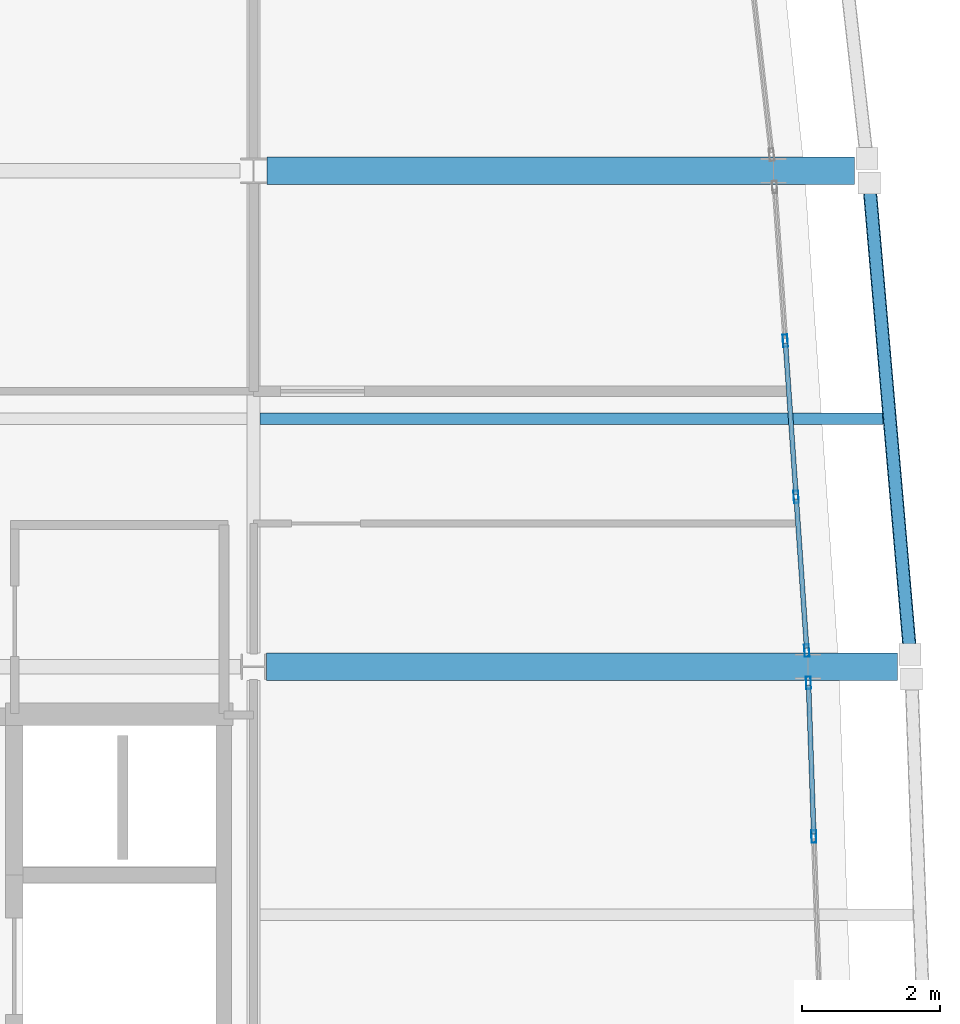
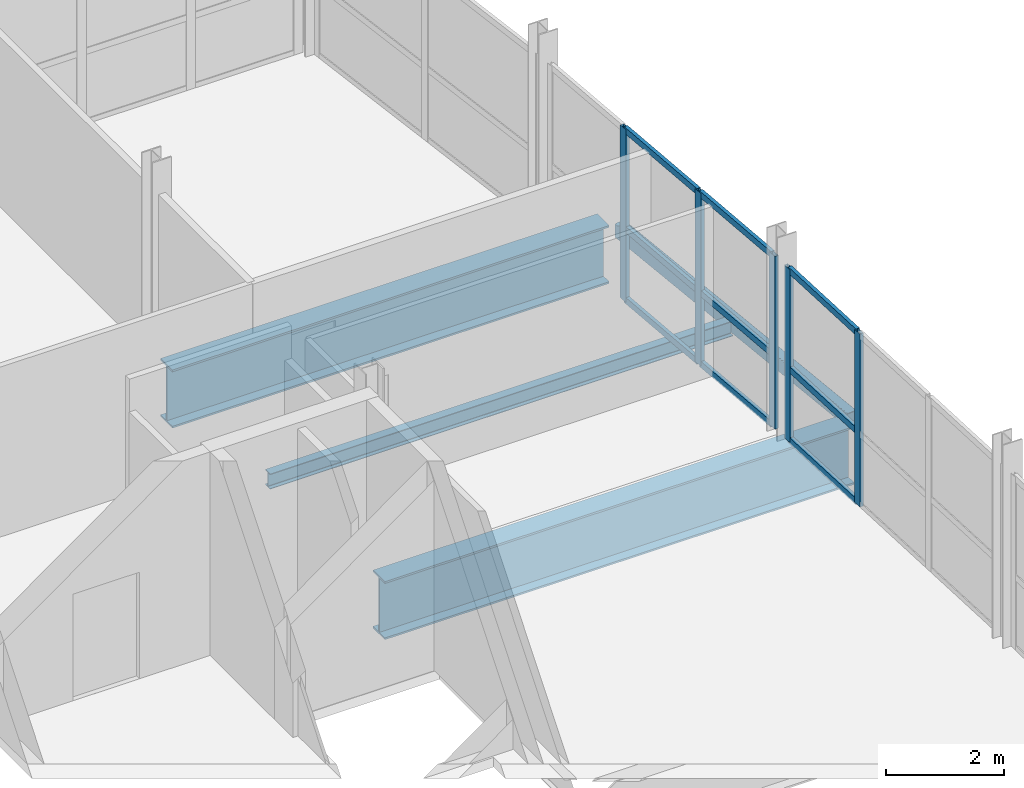
# One storey, part 9 of 23: 14 members, 4 beams, 2 elements without a shape of their own.
"""IFC4 building model written with IfcOpenShell, lengths in metres."""

from ifc_helpers import new_model, si_unit, direction, frame, origin, origin_2d, place, context, subcontext, project, spatial, hollow_rectangle, i_section, extrude, material, layer, layer_set, material_profile, profile_set, type_object, element, aggregate, save


model = new_model("IFC4")

# Units and contexts
model_context = context("Model", 3, precision=1e-05, world=origin(), true_north=direction((0.0, 1.0)))
body_context = subcontext(model_context, "Body", "Model", "MODEL_VIEW")
ifc_project = project(units=[si_unit("LENGTHUNIT", "METRE"), si_unit("AREAUNIT", "SQUARE_METRE"), si_unit("VOLUMEUNIT", "CUBIC_METRE"), si_unit("PLANEANGLEUNIT", "RADIAN"), si_unit("MASSUNIT", "GRAM", prefix="KILO")], contexts=[model_context])

# Site, building, storey
site_placement = place(None, origin())
site = spatial("IfcSite", under=ifc_project, at=site_placement, CompositionType="ELEMENT")
building_placement = place(site_placement, origin())
building = spatial("IfcBuilding", under=site, at=building_placement, Name="Quillay Park Conservatory", CompositionType="ELEMENT")
storey_placement = place(building_placement, frame((0.0, 0.0, 22.5)))
storey = spatial("IfcBuildingStorey", under=building, at=storey_placement, Name="L05", CompositionType="ELEMENT", Elevation=22.5)

# Beam
ifc_material_1 = material(Name="Steel ASTM A992 Grade 50", Category="steel")
ifc_material_profile_1 = material_profile(ifc_material_1, i_section(OverallWidth=0.166015625, OverallDepth=0.31298828125, WebThickness=0.006591796875, FlangeThickness=0.01123046875, FilletRadius=0.010009765625, at=origin_2d()), Name="W310x45")
ifc_profile_set_1 = profile_set([ifc_material_profile_1], Name="Steel ASTM A992 Grade 50")
beam_type_1 = type_object("IfcBeamType", Name="COMPOSITE FLOOR JOIST W310 X45", PredefinedType="JOIST", material=ifc_profile_set_1)
beam_1_placement = place(storey_placement, frame((19.845947265625, 103.199951171875, -0.3564453125), z_axis=(1.0, 0.0, 0.0), x_axis=(0.0, 1.0, 0.0)))
element("IfcBeam", 1, at=beam_1_placement, inside=storey, type_object=beam_type_1, Name="L05 beam BM-J-0439", PredefinedType="JOIST", context=body_context, shape_type="SweptSolid", body=[
    extrude(i_section(OverallWidth=0.166015625, OverallDepth=0.31298828125, WebThickness=0.006591796875, FlangeThickness=0.01123046875, FilletRadius=0.010009765625, at=origin_2d()), origin(), (0.0, 0.0, 1.0), 9.04150390625),
])

# Curtain wall, members
ifc_material_2 = material(Name="Thermally Broken Anodised Aluminium 6063-T6", Category="aluminium")
ifc_layer = layer(ifc_material_2, 0.179931640625)
ifc_layer_set = layer_set([ifc_layer], Name="UNITISED CURTAIN WALL TOWER (Thermally Broken Anodised Aluminium 6063-T6)")
curtain_wall_type = type_object("IfcCurtainWallType", Name="UNITISED CURTAIN WALL TOWER", PredefinedType="USERDEFINED", material=ifc_layer_set)
curtain_wall_1_placement = place(storey_placement, origin())
curtain_wall_1 = element("IfcCurtainWall", 2, at=curtain_wall_1_placement, inside=storey, type_object=curtain_wall_type, Name="L05 Unitised Curtain Wall 052", ObjectType="UNITISED CURTAIN WALL", PredefinedType="USERDEFINED")
ifc_material_3 = material(Name="Thermally Broken Anodised Aluminium 6063-T6", Category="aluminium")
ifc_material_profile_2 = material_profile(ifc_material_3, hollow_rectangle(XDim=0.070068359375, YDim=0.179931640625, WallThickness=0.00390625, at=origin_2d()), Name="AL70x180x4")
ifc_profile_set_2 = profile_set([ifc_material_profile_2], Name="Thermally Broken Anodised Aluminium 6063-T6")
member_type_1 = type_object("IfcMemberType", Name="CURTAIN WALL MULLION 70 X180", PredefinedType="MULLION", material=ifc_profile_set_2)
member_1_placement = place(storey_placement, frame((27.80810546875, 99.365234375, 0.0), z_axis=(0.0, 0.0, 1.0), x_axis=(0.999397310446, 0.034713338537, 0.0)))
member_1 = element("IfcMember", 3, at=member_1_placement, type_object=member_type_1, Name="CW-T1 mullion 1", PredefinedType="MULLION", context=body_context, shape_type="SweptSolid", body=[
    extrude(hollow_rectangle(XDim=0.070068359375, YDim=0.179931640625, WallThickness=0.00390625, at=origin_2d()), origin(), (0.0, 0.0, 1.0), 3.569091796875),
])
member_2_placement = place(storey_placement, frame((27.8857421875, 97.13330078125, 0.0), z_axis=(0.0, 0.0, 1.0), x_axis=(0.999397310446, 0.034713338537, 0.0)))
member_2 = element("IfcMember", 4, at=member_2_placement, type_object=member_type_1, Name="CW-T1 mullion 2", PredefinedType="MULLION", context=body_context, shape_type="SweptSolid", body=[
    extrude(hollow_rectangle(XDim=0.070068359375, YDim=0.179931640625, WallThickness=0.00390625, at=origin_2d()), origin(), (0.0, 0.0, 1.0), 3.569091796875),
])

curtain_wall_2_placement = place(storey_placement, origin())
curtain_wall_2 = element("IfcCurtainWall", 5, at=curtain_wall_2_placement, inside=storey, type_object=curtain_wall_type, Name="L05 Unitised Curtain Wall 053", ObjectType="UNITISED CURTAIN WALL", PredefinedType="USERDEFINED")
member_3_placement = place(storey_placement, frame((27.47119140625, 104.33349609375, 0.0), z_axis=(0.0, 0.0, 1.0), x_axis=(0.99759835015, 0.069264217159, 0.0)))
member_3 = element("IfcMember", 6, at=member_3_placement, type_object=member_type_1, Name="CW-T1 mullion 2", PredefinedType="MULLION", context=body_context, shape_type="SweptSolid", body=[
    extrude(hollow_rectangle(XDim=0.070068359375, YDim=0.179931640625, WallThickness=0.00390625, at=origin_2d()), origin(), (0.0, 0.0, 1.0), 3.569091796875),
])
member_4_placement = place(storey_placement, frame((27.628662109375, 102.06640625, 0.0), z_axis=(0.0, 0.0, 1.0), x_axis=(0.99759835015, 0.069264217159, 0.0)))
member_4 = element("IfcMember", 7, at=member_4_placement, type_object=member_type_1, Name="CW-T1 mullion 3", PredefinedType="MULLION", context=body_context, shape_type="SweptSolid", body=[
    extrude(hollow_rectangle(XDim=0.070068359375, YDim=0.179931640625, WallThickness=0.00390625, at=origin_2d()), origin(), (0.0, 0.0, 1.0), 3.569091796875),
])
member_5_placement = place(storey_placement, frame((27.78369140625, 99.83447265625, 0.0), z_axis=(0.0, 0.0, 1.0), x_axis=(0.99759835015, 0.069264217159, 0.0)))
member_5 = element("IfcMember", 8, at=member_5_placement, type_object=member_type_1, Name="CW-T1 mullion 4", PredefinedType="MULLION", context=body_context, shape_type="SweptSolid", body=[
    extrude(hollow_rectangle(XDim=0.070068359375, YDim=0.179931640625, WallThickness=0.00390625, at=origin_2d()), origin(), (0.0, 0.0, 1.0), 3.569091796875),
])

# Member
ifc_material_4 = material(Name="Thermally Broken Anodised Aluminium 6063-T6", Category="aluminium")
ifc_material_profile_3 = material_profile(ifc_material_4, hollow_rectangle(XDim=0.070068359375, YDim=0.1298828125, WallThickness=0.003173828125, at=origin_2d()), Name="AL70x130x3.2")
ifc_profile_set_3 = profile_set([ifc_material_profile_3], Name="Thermally Broken Anodised Aluminium 6063-T6")
member_type_2 = type_object("IfcMemberType", Name="CURTAIN WALL TRANSOM 70 X130", PredefinedType="USERDEFINED", material=ifc_profile_set_3)
member_6_placement = place(storey_placement, frame((27.809326171875, 99.330078125, 0.034912109375), z_axis=(0.034765508592, -0.999395496994, 0.0), x_axis=(0.999395496994, 0.034765508592, 0.0)))
member_6 = element("IfcMember", 9, at=member_6_placement, type_object=member_type_2, Name="CW-T1 transom 1.1", ObjectType="TRANSOM", PredefinedType="USERDEFINED", context=body_context, shape_type="SweptSolid", body=[
    extrude(hollow_rectangle(XDim=0.070068359375, YDim=0.1298828125, WallThickness=0.003173828125, at=origin_2d()), origin(), (0.0, 0.0, 1.0), 2.162841796875),
])

member_7_placement = place(storey_placement, frame((27.809326171875, 99.330078125, 1.4990234375), z_axis=(0.034765508592, -0.999395496994, 0.0), x_axis=(0.999395496994, 0.034765508592, 0.0)))
member_7 = element("IfcMember", 10, at=member_7_placement, type_object=member_type_2, Name="CW-T1 transom 1.2", ObjectType="TRANSOM", PredefinedType="USERDEFINED", context=body_context, shape_type="SweptSolid", body=[
    extrude(hollow_rectangle(XDim=0.070068359375, YDim=0.1298828125, WallThickness=0.003173828125, at=origin_2d()), origin(), (0.0, 0.0, 1.0), 2.162841796875),
])

member_8_placement = place(storey_placement, frame((27.809326171875, 99.330078125, 3.533935546875), z_axis=(0.034765508592, -0.999395496994, 0.0), x_axis=(0.999395496994, 0.034765508592, 0.0)))
member_8 = element("IfcMember", 11, at=member_8_placement, type_object=member_type_2, Name="CW-T1 transom 1.3", ObjectType="TRANSOM", PredefinedType="USERDEFINED", context=body_context, shape_type="SweptSolid", body=[
    extrude(hollow_rectangle(XDim=0.070068359375, YDim=0.1298828125, WallThickness=0.003173828125, at=origin_2d()), origin(), (0.0, 0.0, 1.0), 2.162841796875),
])

aggregate(curtain_wall_1, [member_1, member_2, member_6, member_7, member_8])

member_9_placement = place(storey_placement, frame((27.4736328125, 104.298583984375, 0.034912109375), z_axis=(0.069277598678, -0.997597420968, 0.0), x_axis=(0.997597420968, 0.069277598678, 0.0)))
member_9 = element("IfcMember", 12, at=member_9_placement, type_object=member_type_2, Name="CW-T1 transom 2.1", ObjectType="TRANSOM", PredefinedType="USERDEFINED", context=body_context, shape_type="SweptSolid", body=[
    extrude(hollow_rectangle(XDim=0.070068359375, YDim=0.1298828125, WallThickness=0.003173828125, at=origin_2d()), origin(), (0.0, 0.0, 1.0), 2.20263671875),
])

member_10_placement = place(storey_placement, frame((27.4736328125, 104.298583984375, 1.4990234375), z_axis=(0.069277598678, -0.997597420968, 0.0), x_axis=(0.997597420968, 0.069277598678, 0.0)))
member_10 = element("IfcMember", 13, at=member_10_placement, type_object=member_type_2, Name="CW-T1 transom 2.2", ObjectType="TRANSOM", PredefinedType="USERDEFINED", context=body_context, shape_type="SweptSolid", body=[
    extrude(hollow_rectangle(XDim=0.070068359375, YDim=0.1298828125, WallThickness=0.003173828125, at=origin_2d()), origin(), (0.0, 0.0, 1.0), 2.20263671875),
])

member_11_placement = place(storey_placement, frame((27.4736328125, 104.298583984375, 3.533935546875), z_axis=(0.069277598678, -0.997597420968, 0.0), x_axis=(0.997597420968, 0.069277598678, 0.0)))
member_11 = element("IfcMember", 14, at=member_11_placement, type_object=member_type_2, Name="CW-T1 transom 2.3", ObjectType="TRANSOM", PredefinedType="USERDEFINED", context=body_context, shape_type="SweptSolid", body=[
    extrude(hollow_rectangle(XDim=0.070068359375, YDim=0.1298828125, WallThickness=0.003173828125, at=origin_2d()), origin(), (0.0, 0.0, 1.0), 2.20263671875),
])

member_12_placement = place(storey_placement, frame((27.631103515625, 102.031494140625, 0.034912109375), z_axis=(0.069277598678, -0.997597420968, 0.0), x_axis=(0.997597420968, 0.069277598678, 0.0)))
member_12 = element("IfcMember", 15, at=member_12_placement, type_object=member_type_2, Name="CW-T1 transom 3.1", ObjectType="TRANSOM", PredefinedType="USERDEFINED", context=body_context, shape_type="SweptSolid", body=[
    extrude(hollow_rectangle(XDim=0.070068359375, YDim=0.1298828125, WallThickness=0.003173828125, at=origin_2d()), origin(), (0.0, 0.0, 1.0), 2.167236328125),
])

member_13_placement = place(storey_placement, frame((27.631103515625, 102.031494140625, 1.4990234375), z_axis=(0.069277598678, -0.997597420968, 0.0), x_axis=(0.997597420968, 0.069277598678, 0.0)))
member_13 = element("IfcMember", 16, at=member_13_placement, type_object=member_type_2, Name="CW-T1 transom 3.2", ObjectType="TRANSOM", PredefinedType="USERDEFINED", context=body_context, shape_type="SweptSolid", body=[
    extrude(hollow_rectangle(XDim=0.070068359375, YDim=0.1298828125, WallThickness=0.003173828125, at=origin_2d()), origin(), (0.0, 0.0, 1.0), 2.167236328125),
])

member_14_placement = place(storey_placement, frame((27.631103515625, 102.031494140625, 3.533935546875), z_axis=(0.069277598678, -0.997597420968, 0.0), x_axis=(0.997597420968, 0.069277598678, 0.0)))
member_14 = element("IfcMember", 17, at=member_14_placement, type_object=member_type_2, Name="CW-T1 transom 3.3", ObjectType="TRANSOM", PredefinedType="USERDEFINED", context=body_context, shape_type="SweptSolid", body=[
    extrude(hollow_rectangle(XDim=0.070068359375, YDim=0.1298828125, WallThickness=0.003173828125, at=origin_2d()), origin(), (0.0, 0.0, 1.0), 2.167236328125),
])

aggregate(curtain_wall_2, [member_3, member_4, member_5, member_9, member_10, member_11, member_12, member_13, member_14])

# Beams
ifc_material_5 = material(Name="Steel S355J2H", Category="steel")
ifc_material_profile_4 = material_profile(ifc_material_5, hollow_rectangle(XDim=0.199951171875, YDim=0.300048828125, WallThickness=0.012451171875, InnerFilletRadius=0.012451171875, OuterFilletRadius=0.02490234375, at=origin_2d()), Name="RHS300x200x12.5")
ifc_profile_set_4 = profile_set([ifc_material_profile_4], Name="Steel S355J2H")
beam_type_2 = type_object("IfcBeamType", Name="PERIMETER SPANDREL BEAM RHS300", PredefinedType="SPANDREL", material=ifc_profile_set_4)
beam_2_placement = place(storey_placement, frame((29.28369140625, 99.789306640625, -0.35009765625), z_axis=(-0.086503445384, 0.996251551535, 0.0), x_axis=(-0.996251551535, -0.086503445384, 0.0)))
element("IfcBeam", 18, at=beam_2_placement, inside=storey, type_object=beam_type_2, Name="L05 beam BM-SPE-0435", PredefinedType="SPANDREL", context=body_context, shape_type="SweptSolid", body=[
    extrude(hollow_rectangle(XDim=0.199951171875, YDim=0.300048828125, WallThickness=0.012451171875, InnerFilletRadius=0.012451171875, OuterFilletRadius=0.02490234375, at=origin_2d()), origin(), (0.0, 0.0, 1.0), 6.846923828125),
])
ifc_material_6 = material(Name="Steel ASTM A572 Grade 50", Category="steel")
ifc_material_profile_5 = material_profile(ifc_material_6, i_section(OverallWidth=0.39990234375, OverallDepth=1.199951171875, WebThickness=0.02001953125, FlangeThickness=0.0380859375, at=origin_2d()), Name="IG1200x400")
ifc_profile_set_5 = profile_set([ifc_material_profile_5], Name="Steel ASTM A572 Grade 50")
beam_type_3 = type_object("IfcBeamType", Name="TRANSFER PLATE GIRDER IG1200", PredefinedType="USERDEFINED", material=ifc_profile_set_5)
beam_3_placement = place(storey_placement, frame((19.93994140625, 99.60009765625, -0.800048828125), z_axis=(1.0, 0.0, 0.0), x_axis=(0.0, 1.0, 0.0)))
element("IfcBeam", 19, at=beam_3_placement, inside=storey, type_object=beam_type_3, Name="L05 beam BM-TG2-0395", ObjectType="TRANSFER PLATE GIRDER", PredefinedType="USERDEFINED", context=body_context, shape_type="SweptSolid", body=[
    extrude(i_section(OverallWidth=0.39990234375, OverallDepth=1.199951171875, WebThickness=0.02001953125, FlangeThickness=0.0380859375, at=origin_2d()), origin(), (0.0, 0.0, 1.0), 9.16259765625),
])
beam_4_placement = place(storey_placement, frame((19.947509765625, 106.800048828125, -0.800048828125), z_axis=(1.0, 0.0, 0.0), x_axis=(0.0, 1.0, 0.0)))
element("IfcBeam", 20, at=beam_4_placement, inside=storey, type_object=beam_type_3, Name="L05 beam BM-TG2-0398", ObjectType="TRANSFER PLATE GIRDER", PredefinedType="USERDEFINED", context=body_context, shape_type="SweptSolid", body=[
    extrude(i_section(OverallWidth=0.39990234375, OverallDepth=1.199951171875, WebThickness=0.02001953125, FlangeThickness=0.0380859375, at=origin_2d()), origin(), (0.0, 0.0, 1.0), 8.530029296875),
])

save(model, "model.ifc")
